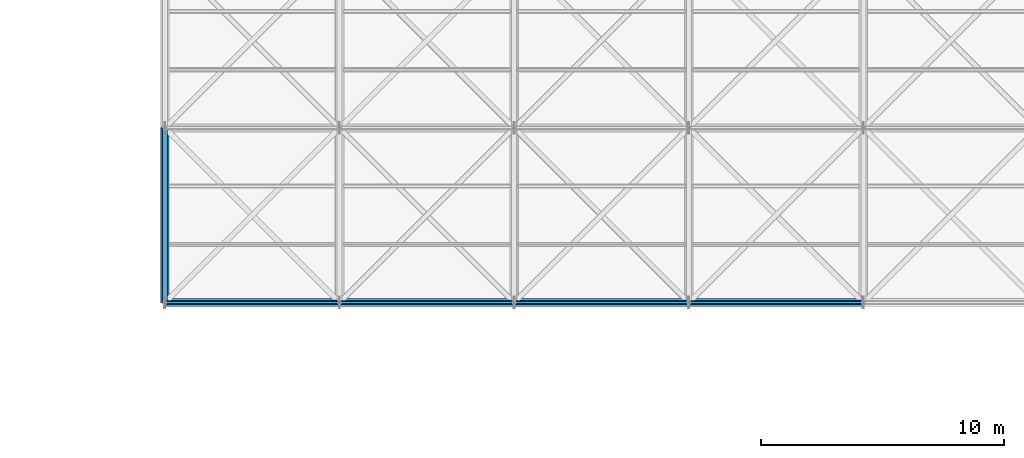
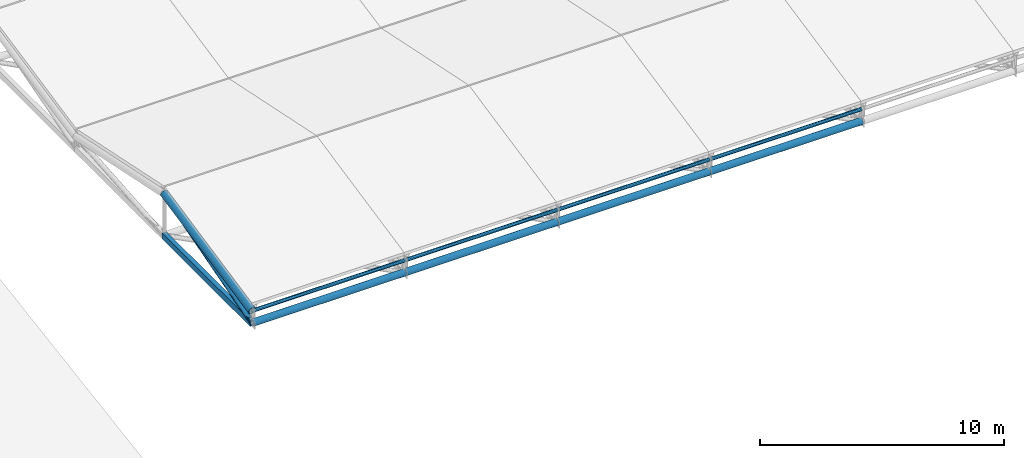
# One storey, part 16 of 72: 9 members, 2 beams.
"""IFC4 building model written with IfcOpenShell, lengths in metres."""

from ifc_helpers import new_model, si_unit, direction, frame, origin, origin_2d, place, context, subcontext, project, spatial, hollow_rectangle, hollow_circle, extrude, material, material_profile, profile_set, type_object, element, save


model = new_model("IFC4")

# Units and contexts
model_context = context("Model", 3, precision=1e-05, world=origin(), true_north=direction((0.0, 1.0)))
body_context = subcontext(model_context, "Body", "Model", "MODEL_VIEW")
ifc_project = project(units=[si_unit("LENGTHUNIT", "METRE"), si_unit("AREAUNIT", "SQUARE_METRE"), si_unit("VOLUMEUNIT", "CUBIC_METRE"), si_unit("PLANEANGLEUNIT", "RADIAN"), si_unit("MASSUNIT", "GRAM", prefix="KILO")], contexts=[model_context])

# Site, building, storey
site_placement = place(None, origin())
site = spatial("IfcSite", under=ifc_project, at=site_placement, CompositionType="ELEMENT")
building_placement = place(site_placement, origin())
building = spatial("IfcBuilding", under=site, at=building_placement, Name="Vaelcorin Mobility Hub", CompositionType="ELEMENT")
storey_placement = place(building_placement, frame((0.0, 0.0, 25.800048828125)))
storey = spatial("IfcBuildingStorey", under=building, at=storey_placement, Name="RF", CompositionType="ELEMENT", Elevation=25.800048828125)

# Members
ifc_material = material(Name="Steel ASTM A500 Grade C", Category="steel")
ifc_material_profile_1 = material_profile(ifc_material, hollow_circle(Radius=0.161865234375, WallThickness=0.0126953125, at=origin_2d()), Name="HSS12.750X0.500")
ifc_profile_set_1 = profile_set([ifc_material_profile_1], Name="Steel ASTM A500 Grade C")
member_type_1 = type_object("IfcMemberType", Name="SF-CHORD-12", PredefinedType="CHORD", material=ifc_profile_set_1)
member_1_placement = place(storey_placement, frame((43.199951171875, 84.0, -2.10009765625), z_axis=(1.0, 0.0, 0.0), x_axis=(0.0, 1.0, 0.0)))
element("IfcMember", 1, at=member_1_placement, inside=storey, type_object=member_type_1, Name="Sports Truss Lower Tie Strut 2-0", PredefinedType="CHORD", context=body_context, shape_type="SweptSolid", body=[
    extrude(hollow_circle(Radius=0.161865234375, WallThickness=0.0126953125, at=origin_2d()), origin(), (0.0, 0.0, 1.0), 7.199951171875),
])
member_2_placement = place(storey_placement, frame((50.39990234375, 84.0, -2.10009765625), z_axis=(1.0, 0.0, 0.0), x_axis=(0.0, 1.0, 0.0)))
element("IfcMember", 2, at=member_2_placement, inside=storey, type_object=member_type_1, Name="Sports Truss Lower Tie Strut 3-0", PredefinedType="CHORD", context=body_context, shape_type="SweptSolid", body=[
    extrude(hollow_circle(Radius=0.161865234375, WallThickness=0.0126953125, at=origin_2d()), origin(), (0.0, 0.0, 1.0), 7.2001953125),
])
for number, where, z_axis, x_axis, name in (
    (3, (57.60009765625, 84.0, -2.10009765625), (1.0, 0.0, 0.0), (0.0, 1.0, 0.0), "Sports Truss Lower Tie Strut 4-0"),
    (4, (64.800048828125, 84.0, -2.10009765625), (1.0, 0.0, 0.0), (0.0, 1.0, 0.0), "Sports Truss Lower Tie Strut 5-0"),
):
    element("IfcMember", number, at=place(storey_placement, frame(where, z_axis=z_axis, x_axis=x_axis)), inside=storey, type_object=member_type_1, Name=name, PredefinedType="CHORD", context=body_context, shape_type="SweptSolid", body=[
        extrude(hollow_circle(Radius=0.161865234375, WallThickness=0.0126953125, at=origin_2d()), origin(), (0.0, 0.0, 1.0), 7.199951171875),
    ])
ifc_material_profile_2 = material_profile(ifc_material, hollow_circle(Radius=0.084228515625, WallThickness=0.0078125, at=origin_2d()), Name="HSS6.625X0.312")
ifc_profile_set_2 = profile_set([ifc_material_profile_2], Name="Steel ASTM A500 Grade C")
member_type_2 = type_object("IfcMemberType", Name="SF-PURL-6", PredefinedType="PURLIN", material=ifc_profile_set_2)
member_3_placement = place(storey_placement, frame((43.199951171875, 84.0, -1.5), z_axis=(1.0, 0.0, 0.0), x_axis=(0.0, 1.0, 0.0)))
element("IfcMember", 5, at=member_3_placement, inside=storey, type_object=member_type_2, Name="Sports Pavilion Roof Purlin 2-0", PredefinedType="PURLIN", context=body_context, shape_type="SweptSolid", body=[
    extrude(hollow_circle(Radius=0.084228515625, WallThickness=0.0078125, at=origin_2d()), origin(), (0.0, 0.0, 1.0), 7.199951171875),
])
member_4_placement = place(storey_placement, frame((50.39990234375, 84.0, -1.5), z_axis=(1.0, 0.0, 0.0), x_axis=(0.0, 1.0, 0.0)))
element("IfcMember", 6, at=member_4_placement, inside=storey, type_object=member_type_2, Name="Sports Pavilion Roof Purlin 3-0", PredefinedType="PURLIN", context=body_context, shape_type="SweptSolid", body=[
    extrude(hollow_circle(Radius=0.084228515625, WallThickness=0.0078125, at=origin_2d()), origin(), (0.0, 0.0, 1.0), 7.2001953125),
])
for number, where, z_axis, x_axis, name in (
    (7, (57.60009765625, 84.0, -1.5), (1.0, 0.0, 0.0), (0.0, 1.0, 0.0), "Sports Pavilion Roof Purlin 4-0"),
    (8, (64.800048828125, 84.0, -1.5), (1.0, 0.0, 0.0), (0.0, 1.0, 0.0), "Sports Pavilion Roof Purlin 5-0"),
):
    element("IfcMember", number, at=place(storey_placement, frame(where, z_axis=z_axis, x_axis=x_axis)), inside=storey, type_object=member_type_2, Name=name, PredefinedType="PURLIN", context=body_context, shape_type="SweptSolid", body=[
        extrude(hollow_circle(Radius=0.084228515625, WallThickness=0.0078125, at=origin_2d()), origin(), (0.0, 0.0, 1.0), 7.199951171875),
    ])

# Beams
ifc_material_profile_3 = material_profile(ifc_material, hollow_circle(Radius=0.177734375, WallThickness=0.0126953125, at=origin_2d()), Name="HSS14.000X0.500")
ifc_profile_set_3 = profile_set([ifc_material_profile_3], Name="Steel ASTM A500 Grade C")
beam_type_1 = type_object("IfcBeamType", Name="TR-CHORD-14", PredefinedType="BEAM", material=ifc_profile_set_3)
beam_1_placement = place(storey_placement, frame((43.199951171875, 84.0, -1.5), z_axis=(0.0, 0.978980143565, 0.203955579738), x_axis=(-1.0, 0.0, 0.0)))
element("IfcBeam", 9, at=beam_1_placement, inside=storey, type_object=beam_type_1, Name="Sports Pavilion Roof Truss Upper Chord 1-1", PredefinedType="BEAM", context=body_context, shape_type="SweptSolid", body=[
    extrude(hollow_circle(Radius=0.177734375, WallThickness=0.0126953125, at=origin_2d()), origin(), (0.0, 0.0, 1.0), 7.3544921875),
])
ifc_material_profile_4 = material_profile(ifc_material, hollow_rectangle(XDim=0.203125, YDim=0.3046875, WallThickness=0.01171875, at=origin_2d()), Name="HSS12X8X0.500")
ifc_profile_set_4 = profile_set([ifc_material_profile_4], Name="Steel ASTM A500 Grade C")
beam_type_2 = type_object("IfcBeamType", Name="TR-CHORD-RHS12", PredefinedType="BEAM", material=ifc_profile_set_4)
beam_2_placement = place(storey_placement, frame((43.199951171875, 84.0, -2.10009765625), z_axis=(0.0, 1.0, 0.0), x_axis=(-1.0, 0.0, 0.0)))
element("IfcBeam", 10, at=beam_2_placement, inside=storey, type_object=beam_type_2, Name="Sports Pavilion Roof Truss Bottom Chord 1-1", PredefinedType="BEAM", context=body_context, shape_type="SweptSolid", body=[
    extrude(hollow_rectangle(XDim=0.203125, YDim=0.3046875, WallThickness=0.01171875, at=origin_2d()), origin(), (0.0, 0.0, 1.0), 7.199951171875),
])

# Member
ifc_material_profile_5 = material_profile(ifc_material, hollow_circle(Radius=0.109619140625, WallThickness=0.009521484375, at=origin_2d()), Name="HSS8.625X0.375")
ifc_profile_set_5 = profile_set([ifc_material_profile_5], Name="Steel ASTM A500 Grade C")
member_type_3 = type_object("IfcMemberType", Name="TR-WEB-8", PredefinedType="BRACE", material=ifc_profile_set_5)
member_5_placement = place(storey_placement, frame((43.199951171875, 84.0, -2.10009765625), z_axis=(0.0, 0.959995989474, 0.280013750007), x_axis=(-1.0, 0.0, 0.0)))
element("IfcMember", 11, at=member_5_placement, inside=storey, type_object=member_type_3, Name="Sports Pavilion Roof Truss Diagonal 1-1", PredefinedType="BRACE", context=body_context, shape_type="SweptSolid", body=[
    extrude(hollow_circle(Radius=0.109619140625, WallThickness=0.009521484375, at=origin_2d()), origin(), (0.0, 0.0, 1.0), 7.5),
])

save(model, "model.ifc")
